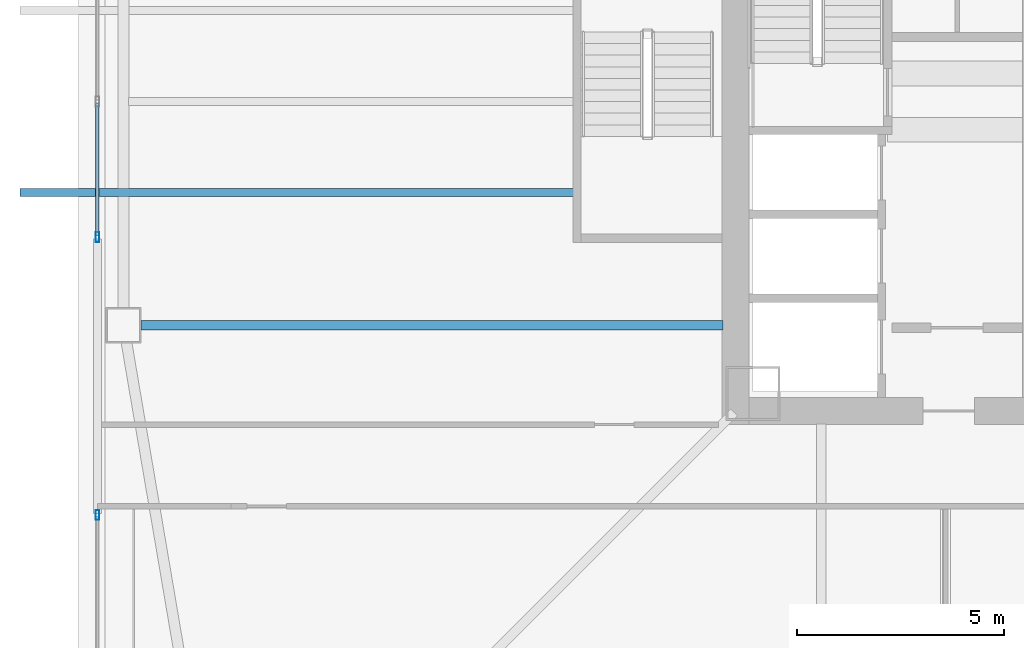
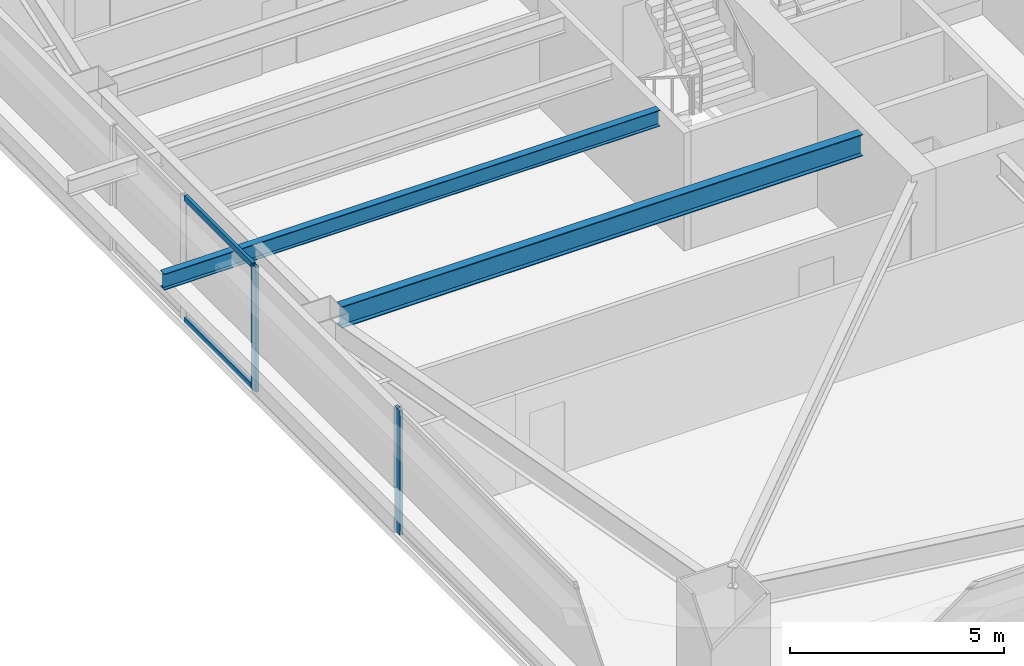
# One storey, part 5 of 46: 4 members, 2 beams, 2 elements without a shape of their own.
"""IFC4 building model written with IfcOpenShell, lengths in metres."""

from ifc_helpers import new_model, si_unit, direction, frame, origin, origin_2d, place, context, subcontext, project, spatial, hollow_rectangle, i_section, extrude, material, material_profile, profile_set, type_object, element, aggregate, save


model = new_model("IFC4")

# Units and contexts
model_context = context("Model", 3, precision=1e-05, world=origin(), true_north=direction((0.0, 1.0)))
body_context = subcontext(model_context, "Body", "Model", "MODEL_VIEW")
ifc_project = project(units=[si_unit("LENGTHUNIT", "METRE"), si_unit("AREAUNIT", "SQUARE_METRE"), si_unit("VOLUMEUNIT", "CUBIC_METRE"), si_unit("PLANEANGLEUNIT", "RADIAN"), si_unit("MASSUNIT", "GRAM", prefix="KILO")], contexts=[model_context])

# Site, building, storey
site_placement = place(None, origin())
site = spatial("IfcSite", under=ifc_project, at=site_placement, CompositionType="ELEMENT")
building_placement = place(site_placement, origin())
building = spatial("IfcBuilding", under=site, at=building_placement, Name="Tashvorn Skyway Center", CompositionType="ELEMENT")
storey_placement = place(building_placement, frame((0.0, 0.0, 38.800048828125)))
storey = spatial("IfcBuildingStorey", under=building, at=storey_placement, Name="L09", CompositionType="ELEMENT", Elevation=38.800048828125)

# Beams
ifc_material_1 = material(Name="Steel ASTM A992 Grade 50", Category="steel")
ifc_material_profile_1 = material_profile(ifc_material_1, i_section(OverallWidth=0.22998046875, OverallDepth=0.616943359375, WebThickness=0.01318359375, FlangeThickness=0.022216796875, at=origin_2d()), Name="W24X94")
ifc_profile_set_1 = profile_set([ifc_material_profile_1], Name="Steel ASTM A992 Grade 50")
beam_type_1 = type_object("IfcBeamType", Name="BM-BEAM-W24X94", PredefinedType="BEAM", material=ifc_profile_set_1)
beam_1_placement = place(storey_placement, frame((20.169921875, 26.60009765625, 3.04150390625), z_axis=(1.0, 0.0, 0.0), x_axis=(0.0, 1.0, 0.0)))
element("IfcBeam", 1, at=beam_1_placement, inside=storey, type_object=beam_type_1, Name="Tower 1 L09 Primary Floor Girder FC-W2", PredefinedType="BEAM", context=body_context, shape_type="SweptSolid", body=[
    extrude(i_section(OverallWidth=0.22998046875, OverallDepth=0.616943359375, WebThickness=0.01318359375, FlangeThickness=0.022216796875, at=origin_2d()), origin(), (0.0, 0.0, 1.0), 14.050048828125),
])
ifc_material_profile_2 = material_profile(ifc_material_1, i_section(OverallWidth=0.19091796875, OverallDepth=0.4599609375, WebThickness=0.010009765625, FlangeThickness=0.01611328125, at=origin_2d()), Name="W18X55")
ifc_profile_set_2 = profile_set([ifc_material_profile_2], Name="Steel ASTM A992 Grade 50")
beam_type_2 = type_object("IfcBeamType", Name="BM-JOIST-W18X55", PredefinedType="JOIST", material=ifc_profile_set_2)
beam_2_placement = place(storey_placement, frame((30.610107421875, 29.800048828125, 3.119873046875), z_axis=(-1.0, 0.0, 0.0), x_axis=(0.0, -1.0, 0.0)))
element("IfcBeam", 2, at=beam_2_placement, inside=storey, type_object=beam_type_2, Name="Tower 1 L10 Terrace Cantilever Outlooker 1", PredefinedType="JOIST", context=body_context, shape_type="SweptSolid", body=[
    extrude(i_section(OverallWidth=0.19091796875, OverallDepth=0.4599609375, WebThickness=0.010009765625, FlangeThickness=0.01611328125, at=origin_2d()), origin(), (0.0, 0.0, 1.0), 13.360107421875),
])

# Curtain wall, member
ifc_material_2 = material(Name="Thermally broken bronze-anodized aluminium 6063-T6", Category="aluminium")
curtain_wall_type = type_object("IfcCurtainWallType", Name="CW-CW-Z1", PredefinedType="NOTDEFINED", material=ifc_material_2)
curtain_wall_1_placement = place(storey_placement, origin())
curtain_wall_1 = element("IfcCurtainWall", 3, at=curtain_wall_1_placement, inside=storey, type_object=curtain_wall_type, Name="Tower 1 L09 West Unitised Curtain Wall Glazing Group 1", PredefinedType="NOTDEFINED")
ifc_material_profile_3 = material_profile(ifc_material_2, hollow_rectangle(XDim=0.0849609375, YDim=0.239990234375, WallThickness=0.0048828125, at=origin_2d()), Name="ALU-MULL-85x240")
ifc_profile_set_3 = profile_set([ifc_material_profile_3], Name="Thermally broken bronze-anodized aluminium 6063-T6")
member_type_1 = type_object("IfcMemberType", Name="CWM-CW-Z1", PredefinedType="MULLION", material=ifc_profile_set_3)
member_1_placement = place(storey_placement, frame((19.1201171875, 22.017578125, 0.0), z_axis=(0.0, 0.0, 1.0), x_axis=(-1.0, 0.0, 0.0)))
member_1 = element("IfcMember", 4, at=member_1_placement, type_object=member_type_1, Name="CW-Z1 mullion 2", PredefinedType="MULLION", context=body_context, shape_type="SweptSolid", body=[
    extrude(hollow_rectangle(XDim=0.0849609375, YDim=0.239990234375, WallThickness=0.0048828125, at=origin_2d()), origin(), (0.0, 0.0, 1.0), 3.550048828125),
])
aggregate(curtain_wall_1, [member_1])

# Curtain wall, members
curtain_wall_2_placement = place(storey_placement, origin())
curtain_wall_2 = element("IfcCurtainWall", 5, at=curtain_wall_2_placement, inside=storey, type_object=curtain_wall_type, Name="Tower 1 L09 West Unitised Curtain Wall Glazing Group 2", PredefinedType="NOTDEFINED")
member_2_placement = place(storey_placement, frame((19.1201171875, 28.729248046875, 0.0), z_axis=(0.0, 0.0, 1.0), x_axis=(-1.0, 0.0, 0.0)))
member_2 = element("IfcMember", 6, at=member_2_placement, type_object=member_type_1, Name="CW-Z1 mullion 1", PredefinedType="MULLION", context=body_context, shape_type="SweptSolid", body=[
    extrude(hollow_rectangle(XDim=0.0849609375, YDim=0.239990234375, WallThickness=0.0048828125, at=origin_2d()), origin(), (0.0, 0.0, 1.0), 3.550048828125),
])
ifc_material_profile_4 = material_profile(ifc_material_2, hollow_rectangle(XDim=0.0849609375, YDim=0.1650390625, WallThickness=0.0048828125, at=origin_2d()), Name="ALU-TRAN-85x165")
ifc_profile_set_4 = profile_set([ifc_material_profile_4], Name="Thermally broken bronze-anodized aluminium 6063-T6")
member_type_2 = type_object("IfcMemberType", Name="CWT-CW-Z1", PredefinedType="USERDEFINED", material=ifc_profile_set_4)
member_3_placement = place(storey_placement, frame((19.1201171875, 28.771728515625, 0.04248046875), z_axis=(0.0, 1.0, 0.0), x_axis=(-1.0, 0.0, 0.0)))
member_3 = element("IfcMember", 7, at=member_3_placement, type_object=member_type_2, Name="CW-Z1 transom 1.1", ObjectType="TRANSOM", PredefinedType="USERDEFINED", context=body_context, shape_type="SweptSolid", body=[
    extrude(hollow_rectangle(XDim=0.0849609375, YDim=0.1650390625, WallThickness=0.0048828125, at=origin_2d()), origin(), (0.0, 0.0, 1.0), 3.185791015625),
])
member_4_placement = place(storey_placement, frame((19.1201171875, 28.771728515625, 3.507568359375), z_axis=(0.0, 1.0, 0.0), x_axis=(-1.0, 0.0, 0.0)))
member_4 = element("IfcMember", 8, at=member_4_placement, type_object=member_type_2, Name="CW-Z1 transom 1.2", ObjectType="TRANSOM", PredefinedType="USERDEFINED", context=body_context, shape_type="SweptSolid", body=[
    extrude(hollow_rectangle(XDim=0.0849609375, YDim=0.1650390625, WallThickness=0.0048828125, at=origin_2d()), origin(), (0.0, 0.0, 1.0), 3.185791015625),
])
aggregate(curtain_wall_2, [member_2, member_3, member_4])

save(model, "model.ifc")
